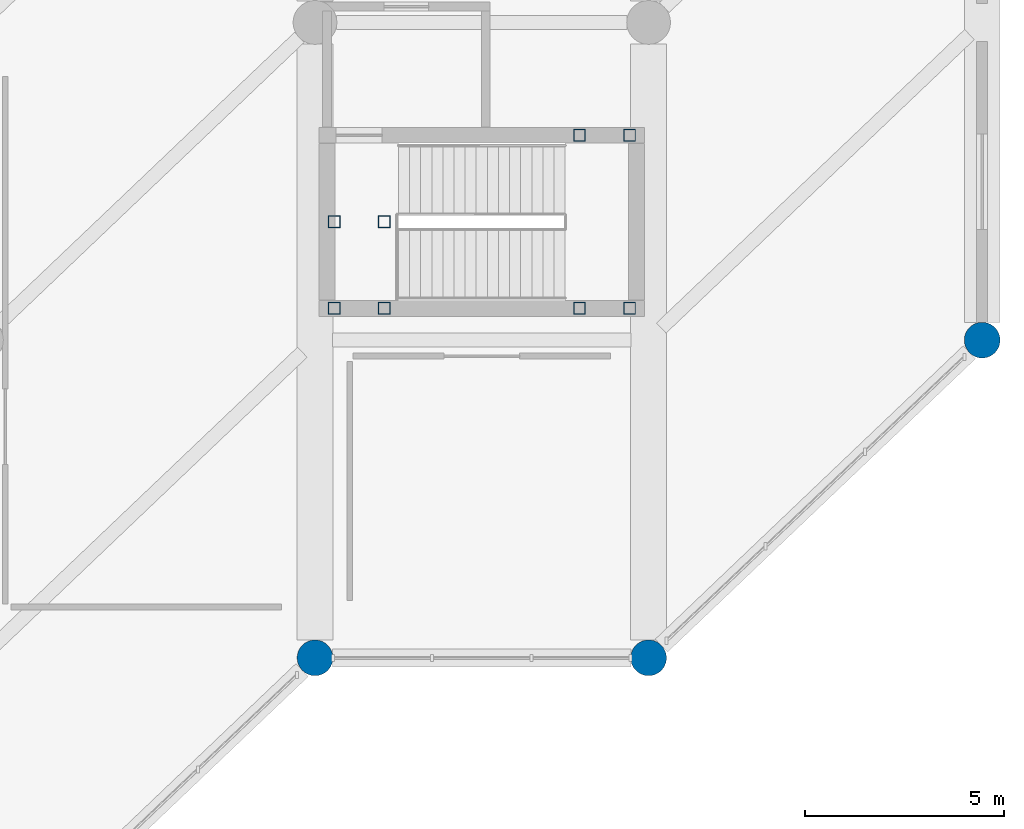
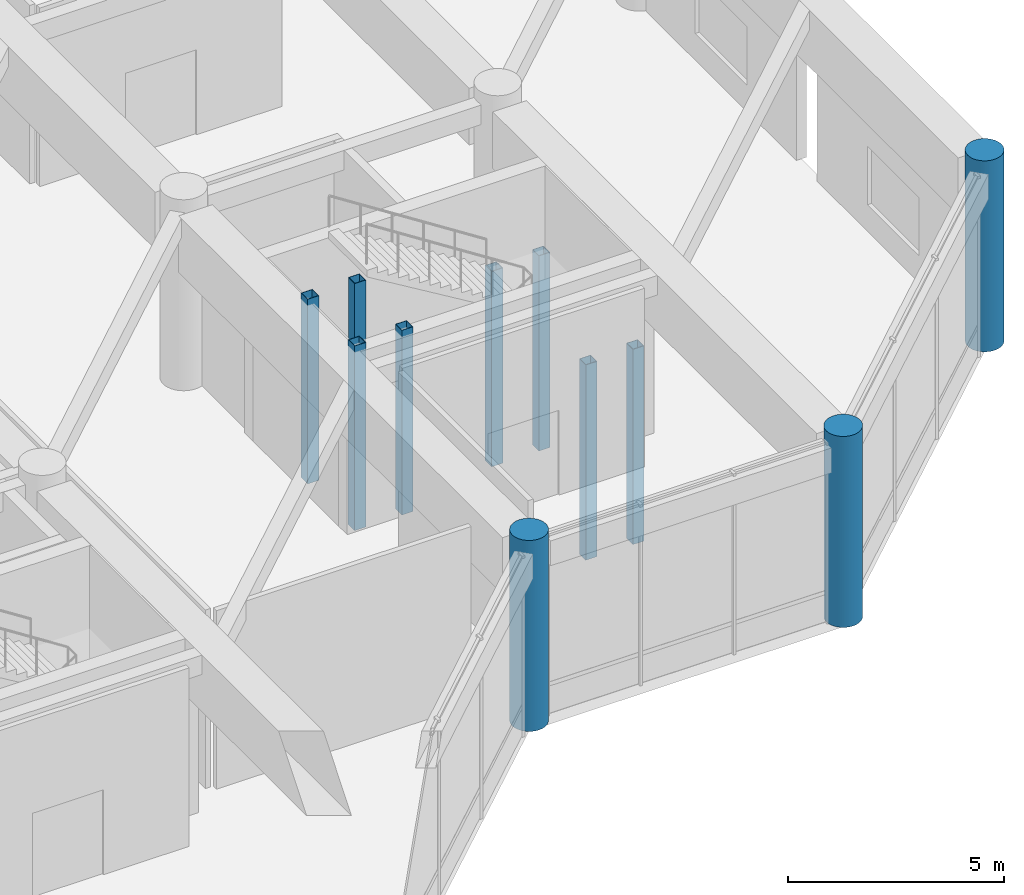
# One storey, part 16 of 79: 11 columns.
"""IFC4 building model written with IfcOpenShell, lengths in metres."""

from ifc_helpers import new_model, si_unit, direction, frame, origin, origin_2d, place, context, subcontext, project, spatial, hollow_rectangle, circle, extrude, material, material_profile, profile_set, type_object, element, save


model = new_model("IFC4")

# Units and contexts
model_context = context("Model", 3, precision=1e-05, world=origin(), true_north=direction((0.0, 1.0)))
body_context = subcontext(model_context, "Body", "Model", "MODEL_VIEW")
ifc_project = project(units=[si_unit("LENGTHUNIT", "METRE"), si_unit("AREAUNIT", "SQUARE_METRE"), si_unit("VOLUMEUNIT", "CUBIC_METRE"), si_unit("PLANEANGLEUNIT", "RADIAN"), si_unit("MASSUNIT", "GRAM", prefix="KILO")], contexts=[model_context])

# Site, building, storey
site_placement = place(None, origin())
site = spatial("IfcSite", under=ifc_project, at=site_placement, CompositionType="ELEMENT")
building_placement = place(site_placement, origin())
building = spatial("IfcBuilding", under=site, at=building_placement, Name="Naruveol Harbour Congress Hotel", CompositionType="ELEMENT")
storey_placement = place(building_placement, frame((0.0, 0.0, 6.0)))
storey = spatial("IfcBuildingStorey", under=building, at=storey_placement, Name="L01", CompositionType="ELEMENT", Elevation=6.0)

# Columns
ifc_material_1 = material(Name="Concrete C50/60", Category="concrete")
ifc_material_profile_1 = material_profile(ifc_material_1, circle(Radius=0.449951171875, at=origin_2d()), Name="RC-D900")
ifc_profile_set_1 = profile_set([ifc_material_profile_1], Name="Concrete C50/60")
column_type_1 = type_object("IfcColumnType", Name="RC HARBOUR PILOTIS D900", PredefinedType="COLUMN", material=ifc_profile_set_1)
for number, where, z_axis, x_axis, name in (
    (1, (168.0, 16.0, 0.0), (0.0, 0.0, 1.0), (1.0, 0.0, 0.0), "Column C-PD900 L01 (168.0,16.0)"),
    (2, (176.39990234375, 16.0, 0.0), (0.0, 0.0, 1.0), (1.0, 0.0, 0.0), "Column C-PD900 L01 (176.4,16.0)"),
    (3, (184.800048828125, 24.0, 0.0), (0.0, 0.0, 1.0), (1.0, 0.0, 0.0), "Column C-PD900 L01 (184.8,24.0)"),
):
    element("IfcColumn", number, at=place(storey_placement, frame(where, z_axis=z_axis, x_axis=x_axis)), inside=storey, type_object=column_type_1, Name=name, PredefinedType="COLUMN", context=body_context, shape_type="SweptSolid", body=[
        extrude(circle(Radius=0.449951171875, at=origin_2d()), origin(), (0.0, 0.0, 1.0), 5.39990234375),
    ])
ifc_material_2 = material(Name="Steel SN490", Category="steel")
ifc_material_profile_2 = material_profile(ifc_material_2, hollow_rectangle(XDim=0.300048828125, YDim=0.300048828125, WallThickness=0.011962890625, at=origin_2d()), Name="SHS-300x300x12")
ifc_profile_set_2 = profile_set([ifc_material_profile_2], Name="Steel SN490")
column_type_2 = type_object("IfcColumnType", Name="STEEL COLONNADE POST SHS300", PredefinedType="COLUMN", material=ifc_profile_set_2)
for number, where, z_axis, x_axis, name in (
    (4, (168.47998046875, 24.800048828125, 0.0), (0.0, 0.0, 1.0), (1.0, 0.0, 0.0), "Stair landing support post ST4W #275"),
    (5, (168.47998046875, 26.97998046875, 0.0), (0.0, 0.0, 1.0), (1.0, 0.0, 0.0), "Stair landing support post ST4W #283"),
    (6, (169.739990234375, 24.800048828125, 0.0), (0.0, 0.0, 1.0), (1.0, 0.0, 0.0), "Stair landing support post ST4W #291"),
    (7, (169.739990234375, 26.97998046875, 0.0), (0.0, 0.0, 1.0), (1.0, 0.0, 0.0), "Stair landing support post ST4W #299"),
):
    element("IfcColumn", number, at=place(storey_placement, frame(where, z_axis=z_axis, x_axis=x_axis)), inside=storey, type_object=column_type_2, Name=name, PredefinedType="COLUMN", context=body_context, shape_type="SweptSolid", body=[
        extrude(hollow_rectangle(XDim=0.300048828125, YDim=0.300048828125, WallThickness=0.011962890625, at=origin_2d()), origin(), (0.0, 0.0, 1.0), 5.219970703125),
    ])
for number, where, z_axis, x_axis, name in (
    (8, (174.659912109375, 24.800048828125, -3.0), (0.0, 0.0, 1.0), (1.0, 0.0, 0.0), "Stair landing support post ST4E #307"),
    (9, (174.659912109375, 29.159912109375, -3.0), (0.0, 0.0, 1.0), (1.0, 0.0, 0.0), "Stair landing support post ST4E #315"),
    (10, (175.919921875, 24.800048828125, -3.0), (0.0, 0.0, 1.0), (1.0, 0.0, 0.0), "Stair landing support post ST4E #323"),
    (11, (175.919921875, 29.159912109375, -3.0), (0.0, 0.0, 1.0), (1.0, 0.0, 0.0), "Stair landing support post ST4E #331"),
):
    element("IfcColumn", number, at=place(storey_placement, frame(where, z_axis=z_axis, x_axis=x_axis)), inside=storey, type_object=column_type_2, Name=name, PredefinedType="COLUMN", context=body_context, shape_type="SweptSolid", body=[
        extrude(hollow_rectangle(XDim=0.300048828125, YDim=0.300048828125, WallThickness=0.011962890625, at=origin_2d()), origin(), (0.0, 0.0, 1.0), 5.52001953125),
    ])

save(model, "model.ifc")
